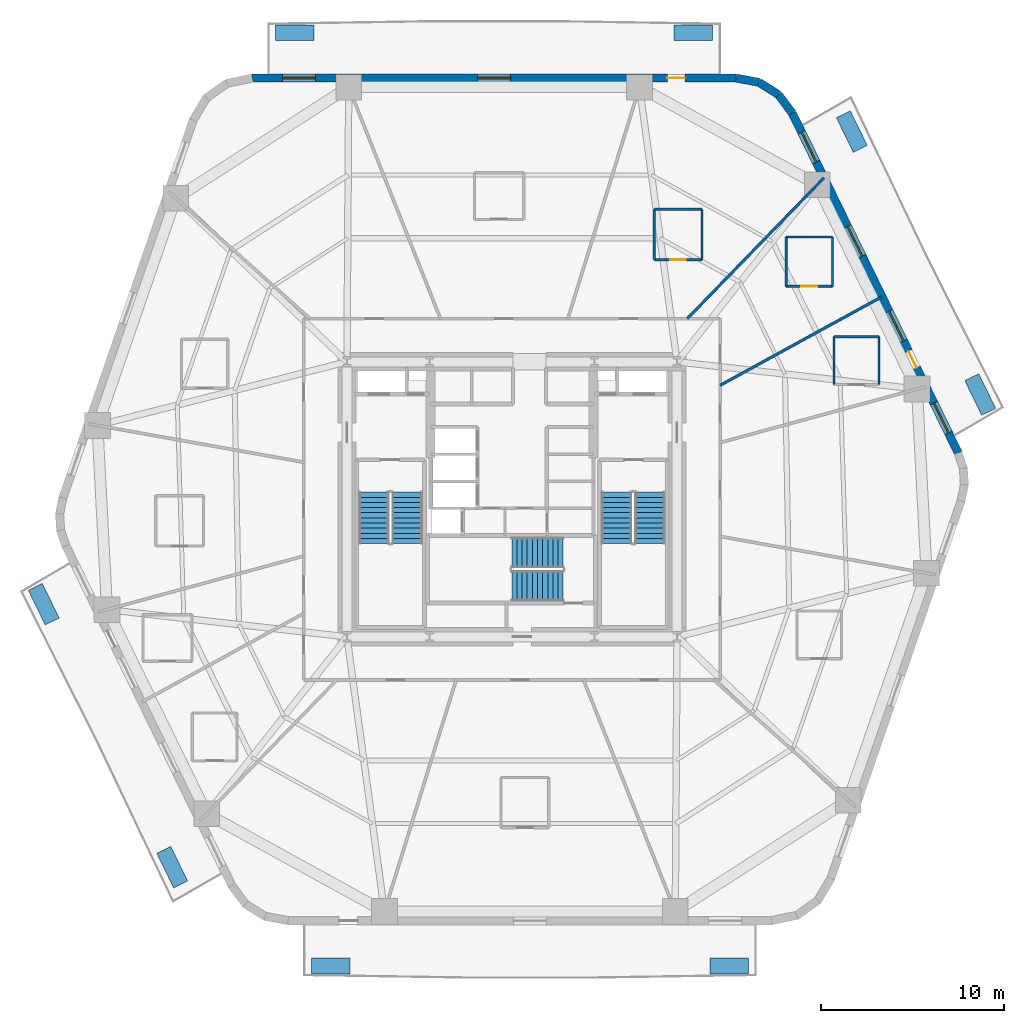
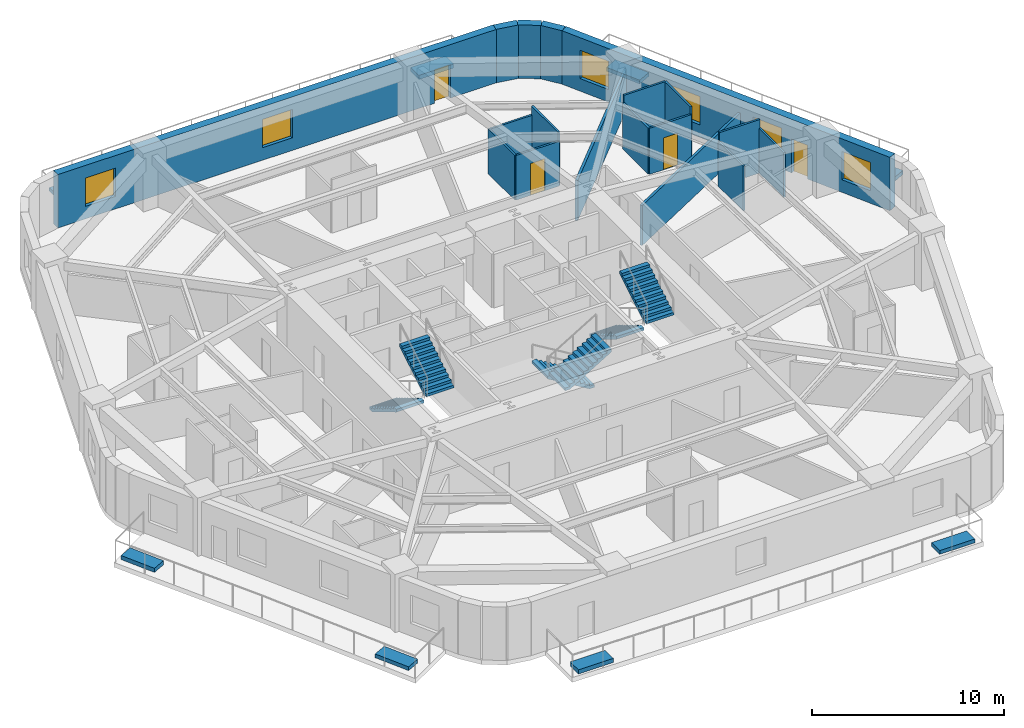
# One storey, part 6 of 9: 18 walls, 8 discrete accessories, 6 stair flights, 6 windows, 4 doors, 10 openings, 3 elements without a shape of their own.
"""IFC4 building model written with IfcOpenShell, lengths in metres."""

from ifc_helpers import new_model, si_unit, direction, frame, frame_2d, origin, origin_2d, place, context, subcontext, project, spatial, polyline, rectangle, outline, extrude, material, layer, layer_set, type_object, element, fill, aggregate, save


model = new_model("IFC4")

# Units and contexts
model_context = context("Model", 3, precision=1e-05, world=origin(), true_north=direction((0.0, 1.0)))
body_context = subcontext(model_context, "Body", "Model", "MODEL_VIEW")
ifc_project = project(units=[si_unit("LENGTHUNIT", "METRE"), si_unit("AREAUNIT", "SQUARE_METRE"), si_unit("VOLUMEUNIT", "CUBIC_METRE"), si_unit("PLANEANGLEUNIT", "RADIAN"), si_unit("MASSUNIT", "GRAM", prefix="KILO")], contexts=[model_context])

# Site, building, storey
site_placement = place(None, origin())
site = spatial("IfcSite", under=ifc_project, at=site_placement, CompositionType="ELEMENT")
building_placement = place(site_placement, origin())
building = spatial("IfcBuilding", under=site, at=building_placement, Name="Kilnhurst Terrace Hotel", CompositionType="ELEMENT")
storey_placement = place(building_placement, frame((0.0, 0.0, 60.10009765625)))
storey = spatial("IfcBuildingStorey", under=building, at=storey_placement, Name="L13", CompositionType="ELEMENT", Elevation=60.10009765625)

# Walls
ifc_material_1 = material(Name="Precast concrete C40/50", Category="concrete")
ifc_layer_1 = layer(ifc_material_1, 0.449951171875, Name="Precast concrete C40/50")
ifc_layer_set_1 = layer_set([ifc_layer_1], Name="Precast concrete C40/50")
wall_type_1 = type_object("IfcWallType", Name="WL-BRK-450", PredefinedType="SOLIDWALL", material=ifc_layer_set_1)
wall_1_placement = place(storey_placement, frame((15.28369140625, 21.0625, 0.0), z_axis=(0.0, 0.0, 1.0), x_axis=(-0.597595366449, 0.801797841104, 0.0)))
element("IfcWall", 1, at=wall_1_placement, inside=storey, type_object=wall_type_1, Name="L13 Rounded Corner Brick Wall C4.1", PredefinedType="SOLIDWALL", context=body_context, shape_type="SweptSolid", body=[
    extrude(rectangle(XDim=1.2685546875, YDim=0.449951171875, at=frame_2d((0.63427734375, 0.0))), origin(), (0.0, 0.0, 1.0), 3.39990234375),
])
wall_2_placement = place(storey_placement, frame((14.525634765625, 22.07958984375, 0.0), z_axis=(0.0, 0.0, 1.0), x_axis=(-0.848185203596, 0.529699783275, 0.0)))
element("IfcWall", 2, at=wall_2_placement, inside=storey, type_object=wall_type_1, Name="L13 Rounded Corner Brick Wall C4.2", PredefinedType="SOLIDWALL", context=body_context, shape_type="SweptSolid", body=[
    extrude(rectangle(XDim=1.247314453125, YDim=0.449951171875, at=frame_2d((0.62353515625, 0.0))), origin(), (0.0, 0.0, 1.0), 3.39990234375),
])
wall_3_placement = place(storey_placement, frame((13.4677734375, 22.740234375, 0.0), z_axis=(0.0, 0.0, 1.0), x_axis=(-0.982717174228, 0.185113358451, 0.0)))
element("IfcWall", 3, at=wall_3_placement, inside=storey, type_object=wall_type_1, Name="L13 Rounded Corner Brick Wall C4.3", PredefinedType="SOLIDWALL", context=body_context, shape_type="SweptSolid", body=[
    extrude(rectangle(XDim=1.268798828125, YDim=0.449951171875, at=frame_2d((0.63427734375, 0.0))), origin(), (0.0, 0.0, 1.0), 3.39990234375),
])

# Wall, openings, door, windows
wall_4_placement = place(storey_placement, frame((24.335693359375, 2.532470703125, 0.0), z_axis=(0.0, 0.0, 1.0), x_axis=(-0.438931326393, 0.898520612291, 0.0)))
wall_4 = element("IfcWall", 4, at=wall_4_placement, inside=storey, type_object=wall_type_1, Name="L13 Exterior Brick Facade Wall F3", PredefinedType="SOLIDWALL", context=body_context, shape_type="SweptSolid", body=[
    extrude(rectangle(XDim=20.622802734375, YDim=0.449951171875, at=frame_2d((10.3115234375, 0.0))), origin(), (0.0, 0.0, 1.0), 3.39990234375),
])
opening_1_placement = place(wall_4_placement, frame((5.1708984375, 0.0, 0.0)))
opening_1 = element("IfcOpeningElement", 5, at=opening_1_placement, cuts=wall_4, Name="Opening BD-1000", PredefinedType="OPENING", context=body_context, shape_type="SweptSolid", body=[
    extrude(rectangle(XDim=1.0, YDim=2.14990234375, at=frame_2d((0.5, 1.074951171875))), frame((0.0, 0.23486328125, 0.0), z_axis=(0.0, -1.0, 0.0), x_axis=(1.0, 0.0, 0.0)), (0.0, 0.0, 1.0), 0.469970703125),
])
opening_2_placement = place(wall_4_placement, frame((6.800048828125, 0.0, 0.800048828125)))
opening_2 = element("IfcOpeningElement", 6, at=opening_2_placement, cuts=wall_4, Name="Opening W-01", PredefinedType="OPENING", context=body_context, shape_type="SweptSolid", body=[
    extrude(rectangle(XDim=1.800048828125, YDim=1.800048828125, at=frame_2d((0.89990234375, 0.89990234375))), frame((0.0, 0.23486328125, 0.0), z_axis=(0.0, -1.0, 0.0), x_axis=(1.0, 0.0, 0.0)), (0.0, 0.0, 1.0), 0.469970703125),
])
opening_3_placement = place(wall_4_placement, frame((11.94189453125, 0.0, 0.800048828125)))
opening_3 = element("IfcOpeningElement", 7, at=opening_3_placement, cuts=wall_4, Name="Opening W-01", PredefinedType="OPENING", context=body_context, shape_type="SweptSolid", body=[
    extrude(rectangle(XDim=1.800048828125, YDim=1.800048828125, at=frame_2d((0.89990234375, 0.89990234375))), frame((0.0, 0.23486328125, 0.0), z_axis=(0.0, -1.0, 0.0), x_axis=(1.0, 0.0, 0.0)), (0.0, 0.0, 1.0), 0.469970703125),
])
opening_4_placement = place(wall_4_placement, frame((17.659912109375, 0.0, 0.800048828125)))
opening_4 = element("IfcOpeningElement", 8, at=opening_4_placement, cuts=wall_4, Name="Opening W-01", PredefinedType="OPENING", context=body_context, shape_type="SweptSolid", body=[
    extrude(rectangle(XDim=1.800048828125, YDim=1.800048828125, at=frame_2d((0.89990234375, 0.89990234375))), frame((0.0, 0.23486328125, 0.0), z_axis=(0.0, -1.0, 0.0), x_axis=(1.0, 0.0, 0.0)), (0.0, 0.0, 1.0), 0.469970703125),
])
opening_5_placement = place(wall_4_placement, frame((1.214111328125, 0.0, 0.800048828125)))
opening_5 = element("IfcOpeningElement", 9, at=opening_5_placement, cuts=wall_4, Name="Opening W-01", PredefinedType="OPENING", context=body_context, shape_type="SweptSolid", body=[
    extrude(rectangle(XDim=1.800048828125, YDim=1.800048828125, at=frame_2d((0.89990234375, 0.89990234375))), frame((0.0, 0.23486328125, 0.0), z_axis=(0.0, -1.0, 0.0), x_axis=(1.0, 0.0, 0.0)), (0.0, 0.0, 1.0), 0.469970703125),
])
ifc_material_2 = material(Name="Thermally Broken Bronze Aluminium Alloy 6063-T6 and Laminated Glass", Category="aluminium")
door_type_1 = type_object("IfcDoorType", Name="DR-EXT-BAL-1000", OperationType="NOTDEFINED", PredefinedType="DOOR", material=ifc_material_2)
door_1_placement = place(opening_1_placement, origin())
door_1 = element("IfcDoor", 10, at=door_1_placement, inside=storey, type_object=door_type_1, Name="L13 Planted Balcony Door BAL-L1A", OperationType="SINGLE_SWING_LEFT", OverallHeight=2.14990234375, OverallWidth=1.0, PredefinedType="DOOR", context=body_context, shape_type="SweptSolid", body=[
    extrude(rectangle(XDim=1.0, YDim=2.14990234375, at=frame_2d((0.5, 1.074951171875))), frame((0.0, 0.02490234375, 0.0), z_axis=(0.0, -1.0, 0.0), x_axis=(1.0, 0.0, 0.0)), (0.0, 0.0, 1.0), 0.050048828125),
])
fill(opening_1, door_1)
ifc_material_3 = material(Name="Thermally Broken Bronze Aluminium Alloy 6063-T6 and Low-E Glass", Category="aluminium")
window_type = type_object("IfcWindowType", Name="WIN-1800X1800", PartitioningType="SINGLE_PANEL", PredefinedType="WINDOW", material=ifc_material_3)
window_1_placement = place(opening_2_placement, origin())
window_1 = element("IfcWindow", 11, at=window_1_placement, inside=storey, type_object=window_type, Name="L13 Deep-Set Masonry Window F3.1", OverallHeight=1.800048828125, OverallWidth=1.800048828125, PartitioningType="SINGLE_PANEL", PredefinedType="WINDOW", context=body_context, shape_type="SweptSolid", body=[
    extrude(rectangle(XDim=1.800048828125, YDim=1.800048828125, at=frame_2d((0.89990234375, 0.89990234375))), frame((0.0, 0.030029296875, 0.0), z_axis=(0.0, -1.0, 0.0), x_axis=(1.0, 0.0, 0.0)), (0.0, 0.0, 1.0), 0.06005859375),
])
fill(opening_2, window_1)
window_2_placement = place(opening_3_placement, origin())
window_2 = element("IfcWindow", 12, at=window_2_placement, inside=storey, type_object=window_type, Name="L13 Deep-Set Masonry Window F3.2", OverallHeight=1.800048828125, OverallWidth=1.800048828125, PartitioningType="SINGLE_PANEL", PredefinedType="WINDOW", context=body_context, shape_type="SweptSolid", body=[
    extrude(rectangle(XDim=1.800048828125, YDim=1.800048828125, at=frame_2d((0.89990234375, 0.89990234375))), frame((0.0, 0.030029296875, 0.0), z_axis=(0.0, -1.0, 0.0), x_axis=(1.0, 0.0, 0.0)), (0.0, 0.0, 1.0), 0.06005859375),
])
fill(opening_3, window_2)
window_3_placement = place(opening_4_placement, origin())
window_3 = element("IfcWindow", 13, at=window_3_placement, inside=storey, type_object=window_type, Name="L13 Deep-Set Masonry Window F3.3", OverallHeight=1.800048828125, OverallWidth=1.800048828125, PartitioningType="SINGLE_PANEL", PredefinedType="WINDOW", context=body_context, shape_type="SweptSolid", body=[
    extrude(rectangle(XDim=1.800048828125, YDim=1.800048828125, at=frame_2d((0.89990234375, 0.89990234375))), frame((0.0, 0.030029296875, 0.0), z_axis=(0.0, -1.0, 0.0), x_axis=(1.0, 0.0, 0.0)), (0.0, 0.0, 1.0), 0.06005859375),
])
fill(opening_4, window_3)
window_4_placement = place(opening_5_placement, origin())
window_4 = element("IfcWindow", 14, at=window_4_placement, inside=storey, type_object=window_type, Name="L13 Deep-Set Masonry Window F3.4", OverallHeight=1.800048828125, OverallWidth=1.800048828125, PartitioningType="SINGLE_PANEL", PredefinedType="WINDOW", context=body_context, shape_type="SweptSolid", body=[
    extrude(rectangle(XDim=1.800048828125, YDim=1.800048828125, at=frame_2d((0.89990234375, 0.89990234375))), frame((0.0, 0.030029296875, 0.0), z_axis=(0.0, -1.0, 0.0), x_axis=(1.0, 0.0, 0.0)), (0.0, 0.0, 1.0), 0.06005859375),
])
fill(opening_5, window_4)

wall_5_placement = place(storey_placement, frame((12.220947265625, 22.97509765625, 0.0), z_axis=(0.0, 0.0, 1.0), x_axis=(-1.0, 0.0, 0.0)))
wall_5 = element("IfcWall", 15, at=wall_5_placement, inside=storey, type_object=wall_type_1, Name="L13 Exterior Brick Facade Wall F4", PredefinedType="SOLIDWALL", context=body_context, shape_type="SweptSolid", body=[
    extrude(rectangle(XDim=26.38916015625, YDim=0.449951171875, at=frame_2d((13.194580078125, 0.0))), origin(), (0.0, 0.0, 1.0), 3.39990234375),
])
opening_6_placement = place(wall_5_placement, frame((2.799072265625, 0.0, 0.0)))
opening_6 = element("IfcOpeningElement", 16, at=opening_6_placement, cuts=wall_5, Name="Opening BD-950", PredefinedType="OPENING", context=body_context, shape_type="SweptSolid", body=[
    extrude(rectangle(XDim=0.949951171875, YDim=2.14990234375, at=frame_2d((0.47509765625, 1.074951171875))), frame((0.0, 0.23486328125, 0.0), z_axis=(0.0, -1.0, 0.0), x_axis=(1.0, 0.0, 0.0)), (0.0, 0.0, 1.0), 0.469970703125),
])
opening_7_placement = place(wall_5_placement, frame((12.2958984375, 0.0, 0.800048828125)))
opening_7 = element("IfcOpeningElement", 17, at=opening_7_placement, cuts=wall_5, Name="Opening W-01", PredefinedType="OPENING", context=body_context, shape_type="SweptSolid", body=[
    extrude(rectangle(XDim=1.800048828125, YDim=1.800048828125, at=frame_2d((0.89990234375, 0.89990234375))), frame((0.0, 0.23486328125, 0.0), z_axis=(0.0, -1.0, 0.0), x_axis=(1.0, 0.0, 0.0)), (0.0, 0.0, 1.0), 0.469970703125),
])
opening_8_placement = place(wall_5_placement, frame((22.93798828125, 0.0, 0.800048828125)))
opening_8 = element("IfcOpeningElement", 18, at=opening_8_placement, cuts=wall_5, Name="Opening W-01", PredefinedType="OPENING", context=body_context, shape_type="SweptSolid", body=[
    extrude(rectangle(XDim=1.800048828125, YDim=1.800048828125, at=frame_2d((0.89990234375, 0.89990234375))), frame((0.0, 0.23486328125, 0.0), z_axis=(0.0, -1.0, 0.0), x_axis=(1.0, 0.0, 0.0)), (0.0, 0.0, 1.0), 0.469970703125),
])
door_type_2 = type_object("IfcDoorType", Name="DR-EXT-BAL-950", OperationType="NOTDEFINED", PredefinedType="DOOR", material=ifc_material_2)
door_2_placement = place(opening_6_placement, origin())
door_2 = element("IfcDoor", 19, at=door_2_placement, inside=storey, type_object=door_type_2, Name="L13 Planted Balcony Door BAL-L1B", OperationType="SINGLE_SWING_RIGHT", OverallHeight=2.14990234375, OverallWidth=0.949951171875, PredefinedType="DOOR", context=body_context, shape_type="SweptSolid", body=[
    extrude(rectangle(XDim=0.949951171875, YDim=2.14990234375, at=frame_2d((0.47509765625, 1.074951171875))), frame((0.0, 0.02490234375, 0.0), z_axis=(0.0, -1.0, 0.0), x_axis=(1.0, 0.0, 0.0)), (0.0, 0.0, 1.0), 0.050048828125),
])
fill(opening_6, door_2)
window_5_placement = place(opening_7_placement, origin())
window_5 = element("IfcWindow", 20, at=window_5_placement, inside=storey, type_object=window_type, Name="L13 Deep-Set Masonry Window F4.1", OverallHeight=1.800048828125, OverallWidth=1.800048828125, PartitioningType="SINGLE_PANEL", PredefinedType="WINDOW", context=body_context, shape_type="SweptSolid", body=[
    extrude(rectangle(XDim=1.800048828125, YDim=1.800048828125, at=frame_2d((0.89990234375, 0.89990234375))), frame((0.0, 0.030029296875, 0.0), z_axis=(0.0, -1.0, 0.0), x_axis=(1.0, 0.0, 0.0)), (0.0, 0.0, 1.0), 0.06005859375),
])
fill(opening_7, window_5)
window_6_placement = place(opening_8_placement, origin())
window_6 = element("IfcWindow", 21, at=window_6_placement, inside=storey, type_object=window_type, Name="L13 Deep-Set Masonry Window F4.2", OverallHeight=1.800048828125, OverallWidth=1.800048828125, PartitioningType="SINGLE_PANEL", PredefinedType="WINDOW", context=body_context, shape_type="SweptSolid", body=[
    extrude(rectangle(XDim=1.800048828125, YDim=1.800048828125, at=frame_2d((0.89990234375, 0.89990234375))), frame((0.0, 0.030029296875, 0.0), z_axis=(0.0, -1.0, 0.0), x_axis=(1.0, 0.0, 0.0)), (0.0, 0.0, 1.0), 0.06005859375),
])
fill(opening_8, window_6)

# Walls
ifc_material_4 = material(Name="STC-58 Acoustic Twin-Frame Guestroom Demising Partition")
ifc_layer_2 = layer(ifc_material_4, 0.14990234375, Name="STC-58 Acoustic Twin-Frame Guestroom Demising Partition")
ifc_layer_set_2 = layer_set([ifc_layer_2], Name="STC-58 Acoustic Twin-Frame Guestroom Demising Partition")
wall_type_2 = type_object("IfcWallType", Name="WL-DEM-150", PredefinedType="PARTITIONING", material=ifc_layer_set_2)
wall_6_placement = place(storey_placement, frame((11.35009765625, 6.216552734375, 0.0), z_axis=(0.0, 0.0, 1.0), x_axis=(0.877047587135, 0.480403507378, 0.0)))
element("IfcWall", 22, at=wall_6_placement, inside=storey, type_object=wall_type_2, Name="L13 Interior Wall WL-L13-DEM-MID01-02-1", PredefinedType="PARTITIONING", context=body_context, shape_type="SweptSolid", body=[
    extrude(rectangle(XDim=10.061767578125, YDim=0.14990234375, at=frame_2d((5.03076171875, 0.0))), origin(), (0.0, 0.0, 1.0), 2.539794921875),
])
wall_7_placement = place(storey_placement, frame((9.5576171875, 9.85009765625, 0.0), z_axis=(0.0, 0.0, 1.0), x_axis=(0.69638346089, 0.717669893056, 0.0)))
element("IfcWall", 23, at=wall_7_placement, inside=storey, type_object=wall_type_2, Name="L13 Interior Wall WL-L13-DEM-COL02-03-1", PredefinedType="PARTITIONING", context=body_context, shape_type="SweptSolid", body=[
    extrude(rectangle(XDim=10.700927734375, YDim=0.14990234375, at=frame_2d((5.3505859375, 0.0))), origin(), (0.0, 0.0, 1.0), 2.539794921875),
])
ifc_material_5 = material(Name="120 mm Moisture-Resistant Tile-Backed Bathroom Partition")
ifc_layer_3 = layer(ifc_material_5, 0.1201171875, Name="120 mm Moisture-Resistant Tile-Backed Bathroom Partition")
ifc_layer_set_3 = layer_set([ifc_layer_3], Name="120 mm Moisture-Resistant Tile-Backed Bathroom Partition")
wall_type_3 = type_object("IfcWallType", Name="WL-PART-120", PredefinedType="PARTITIONING", material=ifc_layer_set_3)
wall_8_placement = place(storey_placement, frame((20.007080078125, 6.258056640625, 0.0), z_axis=(0.0, 0.0, 1.0), x_axis=(0.0, 1.0, 0.0)))
element("IfcWall", 24, at=wall_8_placement, inside=storey, type_object=wall_type_3, Name="L13 Interior Wall WL-L13-BTH-01-2", PredefinedType="PARTITIONING", context=body_context, shape_type="SweptSolid", body=[
    extrude(rectangle(XDim=2.60986328125, YDim=0.1201171875, at=frame_2d((1.304931640625, 0.0))), origin(), (0.0, 0.0, 1.0), 2.83984375),
])
wall_9_placement = place(storey_placement, frame((20.007080078125, 8.867919921875, 0.0), z_axis=(0.0, 0.0, 1.0), x_axis=(-1.0, 0.0, 0.0)))
element("IfcWall", 25, at=wall_9_placement, inside=storey, type_object=wall_type_3, Name="L13 Interior Wall WL-L13-BTH-01-3", PredefinedType="PARTITIONING", context=body_context, shape_type="SweptSolid", body=[
    extrude(rectangle(XDim=2.440185546875, YDim=0.1201171875, at=frame_2d((1.22021484375, 0.0))), origin(), (0.0, 0.0, 1.0), 3.39990234375),
])
wall_10_placement = place(storey_placement, frame((17.56689453125, 8.867919921875, 0.0), z_axis=(0.0, 0.0, 1.0), x_axis=(0.0, -1.0, 0.0)))
element("IfcWall", 26, at=wall_10_placement, inside=storey, type_object=wall_type_3, Name="L13 Interior Wall WL-L13-BTH-01-4", PredefinedType="PARTITIONING", context=body_context, shape_type="SweptSolid", body=[
    extrude(rectangle(XDim=2.60986328125, YDim=0.1201171875, at=frame_2d((1.304931640625, 0.0))), origin(), (0.0, 0.0, 1.0), 2.83984375),
])

# Wall, opening, door
wall_11_placement = place(storey_placement, frame((14.951904296875, 11.617919921875, 0.0), z_axis=(0.0, 0.0, 1.0), x_axis=(1.0, 0.0, 0.0)))
wall_11 = element("IfcWall", 27, at=wall_11_placement, inside=storey, type_object=wall_type_3, Name="L13 Interior Wall WL-L13-BTH-02-1", PredefinedType="PARTITIONING", context=body_context, shape_type="SweptSolid", body=[
    extrude(rectangle(XDim=2.52001953125, YDim=0.1201171875, at=frame_2d((1.260009765625, 0.0))), origin(), (0.0, 0.0, 1.0), 2.926513671875),
])
opening_9_placement = place(wall_11_placement, frame((0.8349609375, 0.0, 0.0)))
opening_9 = element("IfcOpeningElement", 28, at=opening_9_placement, cuts=wall_11, Name="Opening D-08A", PredefinedType="OPENING", context=body_context, shape_type="SweptSolid", body=[
    extrude(rectangle(XDim=0.85009765625, YDim=2.030029296875, at=frame_2d((0.425048828125, 1.01513671875))), frame((0.0, 0.070068359375, 0.0), z_axis=(0.0, -1.0, 0.0), x_axis=(1.0, 0.0, 0.0)), (0.0, 0.0, 1.0), 0.14013671875),
])
ifc_material_6 = material(Name="Moisture-Resistant Lacquered En-suite Bathroom Door")
door_type_3 = type_object("IfcDoorType", Name="DR-INT-850", OperationType="NOTDEFINED", PredefinedType="DOOR", material=ifc_material_6)
door_3_placement = place(opening_9_placement, origin())
door_3 = element("IfcDoor", 29, at=door_3_placement, inside=storey, type_object=door_type_3, Name="L13 En-suite Bathroom Door 2", OperationType="SINGLE_SWING_LEFT", OverallHeight=2.030029296875, OverallWidth=0.85009765625, PredefinedType="DOOR", context=body_context, shape_type="SweptSolid", body=[
    extrude(rectangle(XDim=0.85009765625, YDim=2.030029296875, at=frame_2d((0.425048828125, 1.01513671875))), frame((0.0, 0.02490234375, 0.0), z_axis=(0.0, -1.0, 0.0), x_axis=(1.0, 0.0, 0.0)), (0.0, 0.0, 1.0), 0.050048828125),
])
fill(opening_9, door_3)

# Walls
wall_12_placement = place(storey_placement, frame((17.471923828125, 11.617919921875, 0.0), z_axis=(0.0, 0.0, 1.0), x_axis=(0.0, 1.0, 0.0)))
element("IfcWall", 30, at=wall_12_placement, inside=storey, type_object=wall_type_3, Name="L13 Interior Wall WL-L13-BTH-02-2", PredefinedType="PARTITIONING", context=body_context, shape_type="SweptSolid", body=[
    extrude(rectangle(XDim=2.68017578125, YDim=0.1201171875, at=frame_2d((1.340087890625, 0.0))), origin(), (0.0, 0.0, 1.0), 3.39990234375),
])
wall_13_placement = place(storey_placement, frame((17.471923828125, 14.298095703125, 0.0), z_axis=(0.0, 0.0, 1.0), x_axis=(-1.0, 0.0, 0.0)))
element("IfcWall", 31, at=wall_13_placement, inside=storey, type_object=wall_type_3, Name="L13 Interior Wall WL-L13-BTH-02-3", PredefinedType="PARTITIONING", context=body_context, shape_type="SweptSolid", body=[
    extrude(rectangle(XDim=2.52001953125, YDim=0.1201171875, at=frame_2d((1.260009765625, 0.0))), origin(), (0.0, 0.0, 1.0), 3.39990234375),
])
wall_14_placement = place(storey_placement, frame((14.951904296875, 14.298095703125, 0.0), z_axis=(0.0, 0.0, 1.0), x_axis=(0.0, -1.0, 0.0)))
element("IfcWall", 32, at=wall_14_placement, inside=storey, type_object=wall_type_3, Name="L13 Interior Wall WL-L13-BTH-02-4", PredefinedType="PARTITIONING", context=body_context, shape_type="SweptSolid", body=[
    extrude(rectangle(XDim=2.68017578125, YDim=0.1201171875, at=frame_2d((1.340087890625, 0.0))), origin(), (0.0, 0.0, 1.0), 2.926513671875),
])

# Wall, opening, door
wall_15_placement = place(storey_placement, frame((7.758056640625, 13.06591796875, 0.0), z_axis=(0.0, 0.0, 1.0), x_axis=(1.0, 0.0, 0.0)))
wall_15 = element("IfcWall", 33, at=wall_15_placement, inside=storey, type_object=wall_type_3, Name="L13 Interior Wall WL-L13-BTH-03-1", PredefinedType="PARTITIONING", context=body_context, shape_type="SweptSolid", body=[
    extrude(rectangle(XDim=2.599853515625, YDim=0.1201171875, at=frame_2d((1.2998046875, 0.0))), origin(), (0.0, 0.0, 1.0), 2.83984375),
])
opening_10_placement = place(wall_15_placement, frame((0.875, 0.0, 0.0)))
opening_10 = element("IfcOpeningElement", 34, at=opening_10_placement, cuts=wall_15, Name="Opening D-08A", PredefinedType="OPENING", context=body_context, shape_type="SweptSolid", body=[
    extrude(rectangle(XDim=0.85009765625, YDim=2.030029296875, at=frame_2d((0.425048828125, 1.01513671875))), frame((0.0, 0.070068359375, 0.0), z_axis=(0.0, -1.0, 0.0), x_axis=(1.0, 0.0, 0.0)), (0.0, 0.0, 1.0), 0.14013671875),
])
door_4_placement = place(opening_10_placement, origin())
door_4 = element("IfcDoor", 35, at=door_4_placement, inside=storey, type_object=door_type_3, Name="L13 En-suite Bathroom Door 3", OperationType="SINGLE_SWING_RIGHT", OverallHeight=2.030029296875, OverallWidth=0.85009765625, PredefinedType="DOOR", context=body_context, shape_type="SweptSolid", body=[
    extrude(rectangle(XDim=0.85009765625, YDim=2.030029296875, at=frame_2d((0.425048828125, 1.01513671875))), frame((0.0, 0.02490234375, 0.0), z_axis=(0.0, -1.0, 0.0), x_axis=(1.0, 0.0, 0.0)), (0.0, 0.0, 1.0), 0.050048828125),
])
fill(opening_10, door_4)

# Walls
wall_16_placement = place(storey_placement, frame((10.35791015625, 13.06591796875, 0.0), z_axis=(0.0, 0.0, 1.0), x_axis=(0.0, 1.0, 0.0)))
element("IfcWall", 36, at=wall_16_placement, inside=storey, type_object=wall_type_3, Name="L13 Interior Wall WL-L13-BTH-03-2", PredefinedType="PARTITIONING", context=body_context, shape_type="SweptSolid", body=[
    extrude(rectangle(XDim=2.75, YDim=0.1201171875, at=frame_2d((1.375, 0.0))), origin(), (0.0, 0.0, 1.0), 3.39990234375),
])
wall_17_placement = place(storey_placement, frame((10.35791015625, 15.81591796875, 0.0), z_axis=(0.0, 0.0, 1.0), x_axis=(-1.0, 0.0, 0.0)))
element("IfcWall", 37, at=wall_17_placement, inside=storey, type_object=wall_type_3, Name="L13 Interior Wall WL-L13-BTH-03-3", PredefinedType="PARTITIONING", context=body_context, shape_type="SweptSolid", body=[
    extrude(rectangle(XDim=2.599853515625, YDim=0.1201171875, at=frame_2d((1.2998046875, 0.0))), origin(), (0.0, 0.0, 1.0), 2.83984375),
])
wall_18_placement = place(storey_placement, frame((7.758056640625, 15.81591796875, 0.0), z_axis=(0.0, 0.0, 1.0), x_axis=(0.0, -1.0, 0.0)))
element("IfcWall", 38, at=wall_18_placement, inside=storey, type_object=wall_type_3, Name="L13 Interior Wall WL-L13-BTH-03-4", PredefinedType="PARTITIONING", context=body_context, shape_type="SweptSolid", body=[
    extrude(rectangle(XDim=2.75, YDim=0.1201171875, at=frame_2d((1.375, 0.0))), origin(), (0.0, 0.0, 1.0), 2.83984375),
])

# Stair, stair flights
ifc_material_7 = material(Name="Concrete C50/60", Category="concrete")
stair_type = type_object("IfcStairType", Name="STR-CORE-1660", PredefinedType="HALF_TURN_STAIR", material=ifc_material_7)
stair_1_placement = place(storey_placement, origin())
stair_1 = element("IfcStair", 39, at=stair_1_placement, inside=storey, type_object=stair_type, Name="L13 ST-1", PredefinedType="HALF_TURN_STAIR")
stair_flight_type = type_object("IfcStairFlightType", Name="FLT-RC-1660", PredefinedType="STRAIGHT", material=ifc_material_7)
stair_flight_1_placement = place(storey_placement, frame((-7.52001953125, 0.389892578125, 0.0), z_axis=(0.0, 0.0, 1.0), x_axis=(0.0, -1.0, 0.0)))
stair_flight_1 = element("IfcStairFlight", 40, at=stair_flight_1_placement, type_object=stair_flight_type, Name="ST-1 flight 1", NumberOfRisers=11, NumberOfTreads=10, PredefinedType="STRAIGHT", RiserHeight=0.168181818, TreadLength=0.28, context=body_context, shape_type="SweptSolid", body=[
    extrude(outline(polyline([(0.0, 0.0), (0.0, 0.168212890625), (0.280029296875, 0.168212890625), (0.280029296875, 0.33642578125), (0.56005859375, 0.33642578125), (0.56005859375, 0.504638671875), (0.840087890625, 0.504638671875), (0.840087890625, 0.672607421875), (1.1201171875, 0.672607421875), (1.1201171875, 0.8408203125), (1.39990234375, 0.8408203125), (1.39990234375, 1.009033203125), (1.679931640625, 1.009033203125), (1.679931640625, 1.17724609375), (1.9599609375, 1.17724609375), (1.9599609375, 1.345458984375), (2.239990234375, 1.345458984375), (2.239990234375, 1.513671875), (2.52001953125, 1.513671875), (2.52001953125, 1.681884765625), (2.800048828125, 1.681884765625), (2.800048828125, 1.85009765625), (2.800048828125, 1.5068359375), (0.291015625, 0.0), (0.0, 0.0)])), frame((0.0, 0.830078125, 0.0), z_axis=(0.0, -1.0, 0.0), x_axis=(1.0, 0.0, 0.0)), (0.0, 0.0, 1.0), 1.659912109375),
])
stair_flight_2_placement = place(storey_placement, frame((-5.7099609375, -2.409912109375, 1.849853515625), z_axis=(0.0, 0.0, 1.0), x_axis=(0.0, 1.0, 0.0)))
stair_flight_2 = element("IfcStairFlight", 41, at=stair_flight_2_placement, type_object=stair_flight_type, Name="ST-1 flight 2", NumberOfRisers=11, NumberOfTreads=10, PredefinedType="STRAIGHT", RiserHeight=0.168181818, TreadLength=0.28, context=body_context, shape_type="SweptSolid", body=[
    extrude(outline(polyline([(0.0, 0.0), (0.0, 0.168212890625), (0.280029296875, 0.168212890625), (0.280029296875, 0.33642578125), (0.56005859375, 0.33642578125), (0.56005859375, 0.504638671875), (0.840087890625, 0.504638671875), (0.840087890625, 0.672607421875), (1.1201171875, 0.672607421875), (1.1201171875, 0.8408203125), (1.39990234375, 0.8408203125), (1.39990234375, 1.009033203125), (1.679931640625, 1.009033203125), (1.679931640625, 1.17724609375), (1.9599609375, 1.17724609375), (1.9599609375, 1.345458984375), (2.239990234375, 1.345458984375), (2.239990234375, 1.513671875), (2.52001953125, 1.513671875), (2.52001953125, 1.681884765625), (2.800048828125, 1.681884765625), (2.800048828125, 1.85009765625), (2.800048828125, 1.5068359375), (0.291015625, 0.0), (0.0, 0.0)])), frame((0.0, 0.830078125, 0.0), z_axis=(0.0, -1.0, 0.0), x_axis=(1.0, 0.0, 0.0)), (0.0, 0.0, 1.0), 1.659912109375),
])
aggregate(stair_1, [stair_flight_1, stair_flight_2])

stair_2_placement = place(storey_placement, origin())
stair_2 = element("IfcStair", 42, at=stair_2_placement, inside=storey, type_object=stair_type, Name="L13 ST-2", PredefinedType="HALF_TURN_STAIR")
stair_flight_3_placement = place(storey_placement, frame((5.7099609375, 0.389892578125, 0.0), z_axis=(0.0, 0.0, 1.0), x_axis=(0.0, -1.0, 0.0)))
stair_flight_3 = element("IfcStairFlight", 43, at=stair_flight_3_placement, type_object=stair_flight_type, Name="ST-2 flight 1", NumberOfRisers=11, NumberOfTreads=10, PredefinedType="STRAIGHT", RiserHeight=0.168181818, TreadLength=0.28, context=body_context, shape_type="SweptSolid", body=[
    extrude(outline(polyline([(0.0, 0.0), (0.0, 0.168212890625), (0.280029296875, 0.168212890625), (0.280029296875, 0.33642578125), (0.56005859375, 0.33642578125), (0.56005859375, 0.504638671875), (0.840087890625, 0.504638671875), (0.840087890625, 0.672607421875), (1.1201171875, 0.672607421875), (1.1201171875, 0.8408203125), (1.39990234375, 0.8408203125), (1.39990234375, 1.009033203125), (1.679931640625, 1.009033203125), (1.679931640625, 1.17724609375), (1.9599609375, 1.17724609375), (1.9599609375, 1.345458984375), (2.239990234375, 1.345458984375), (2.239990234375, 1.513671875), (2.52001953125, 1.513671875), (2.52001953125, 1.681884765625), (2.800048828125, 1.681884765625), (2.800048828125, 1.85009765625), (2.800048828125, 1.5068359375), (0.291015625, 0.0), (0.0, 0.0)])), frame((0.0, 0.830078125, 0.0), z_axis=(0.0, -1.0, 0.0), x_axis=(1.0, 0.0, 0.0)), (0.0, 0.0, 1.0), 1.659912109375),
])
stair_flight_4_placement = place(storey_placement, frame((7.52001953125, -2.409912109375, 1.849853515625), z_axis=(0.0, 0.0, 1.0), x_axis=(0.0, 1.0, 0.0)))
stair_flight_4 = element("IfcStairFlight", 44, at=stair_flight_4_placement, type_object=stair_flight_type, Name="ST-2 flight 2", NumberOfRisers=11, NumberOfTreads=10, PredefinedType="STRAIGHT", RiserHeight=0.168181818, TreadLength=0.28, context=body_context, shape_type="SweptSolid", body=[
    extrude(outline(polyline([(0.0, 0.0), (0.0, 0.168212890625), (0.280029296875, 0.168212890625), (0.280029296875, 0.33642578125), (0.56005859375, 0.33642578125), (0.56005859375, 0.504638671875), (0.840087890625, 0.504638671875), (0.840087890625, 0.672607421875), (1.1201171875, 0.672607421875), (1.1201171875, 0.8408203125), (1.39990234375, 0.8408203125), (1.39990234375, 1.009033203125), (1.679931640625, 1.009033203125), (1.679931640625, 1.17724609375), (1.9599609375, 1.17724609375), (1.9599609375, 1.345458984375), (2.239990234375, 1.345458984375), (2.239990234375, 1.513671875), (2.52001953125, 1.513671875), (2.52001953125, 1.681884765625), (2.800048828125, 1.681884765625), (2.800048828125, 1.85009765625), (2.800048828125, 1.5068359375), (0.291015625, 0.0), (0.0, 0.0)])), frame((0.0, 0.830078125, 0.0), z_axis=(0.0, -1.0, 0.0), x_axis=(1.0, 0.0, 0.0)), (0.0, 0.0, 1.0), 1.659912109375),
])
aggregate(stair_2, [stair_flight_3, stair_flight_4])

stair_3_placement = place(storey_placement, origin())
stair_3 = element("IfcStair", 45, at=stair_3_placement, inside=storey, type_object=stair_type, Name="L13 ST-3", PredefinedType="HALF_TURN_STAIR")
stair_flight_5_placement = place(storey_placement, frame((2.7900390625, -2.909912109375, 0.0), z_axis=(0.0, 0.0, 1.0), x_axis=(-1.0, 0.0, 0.0)))
stair_flight_5 = element("IfcStairFlight", 46, at=stair_flight_5_placement, type_object=stair_flight_type, Name="ST-3 flight 1", NumberOfRisers=11, NumberOfTreads=10, PredefinedType="STRAIGHT", RiserHeight=0.168181818, TreadLength=0.28, context=body_context, shape_type="SweptSolid", body=[
    extrude(outline(polyline([(0.0, 0.0), (0.0, 0.168212890625), (0.280029296875, 0.168212890625), (0.280029296875, 0.33642578125), (0.56005859375, 0.33642578125), (0.56005859375, 0.504638671875), (0.840087890625, 0.504638671875), (0.840087890625, 0.672607421875), (1.1201171875, 0.672607421875), (1.1201171875, 0.8408203125), (1.39990234375, 0.8408203125), (1.39990234375, 1.009033203125), (1.679931640625, 1.009033203125), (1.679931640625, 1.17724609375), (1.9599609375, 1.17724609375), (1.9599609375, 1.345458984375), (2.239990234375, 1.345458984375), (2.239990234375, 1.513671875), (2.52001953125, 1.513671875), (2.52001953125, 1.681884765625), (2.800048828125, 1.681884765625), (2.800048828125, 1.85009765625), (2.800048828125, 1.5068359375), (0.291015625, 0.0), (0.0, 0.0)])), frame((0.0, 0.830078125, 0.0), z_axis=(0.0, -1.0, 0.0), x_axis=(1.0, 0.0, 0.0)), (0.0, 0.0, 1.0), 1.659912109375),
])
stair_flight_6_placement = place(storey_placement, frame((-0.010009765625, -4.719970703125, 1.849853515625), z_axis=(0.0, 0.0, 1.0), x_axis=(1.0, 0.0, 0.0)))
stair_flight_6 = element("IfcStairFlight", 47, at=stair_flight_6_placement, type_object=stair_flight_type, Name="ST-3 flight 2", NumberOfRisers=11, NumberOfTreads=10, PredefinedType="STRAIGHT", RiserHeight=0.168181818, TreadLength=0.28, context=body_context, shape_type="SweptSolid", body=[
    extrude(outline(polyline([(0.0, 0.0), (0.0, 0.168212890625), (0.280029296875, 0.168212890625), (0.280029296875, 0.33642578125), (0.56005859375, 0.33642578125), (0.56005859375, 0.504638671875), (0.840087890625, 0.504638671875), (0.840087890625, 0.672607421875), (1.1201171875, 0.672607421875), (1.1201171875, 0.8408203125), (1.39990234375, 0.8408203125), (1.39990234375, 1.009033203125), (1.679931640625, 1.009033203125), (1.679931640625, 1.17724609375), (1.9599609375, 1.17724609375), (1.9599609375, 1.345458984375), (2.239990234375, 1.345458984375), (2.239990234375, 1.513671875), (2.52001953125, 1.513671875), (2.52001953125, 1.681884765625), (2.800048828125, 1.681884765625), (2.800048828125, 1.85009765625), (2.800048828125, 1.5068359375), (0.291015625, 0.0), (0.0, 0.0)])), frame((0.0, 0.830078125, 0.0), z_axis=(0.0, -1.0, 0.0), x_axis=(1.0, 0.0, 0.0)), (0.0, 0.0, 1.0), 1.659912109375),
])
aggregate(stair_3, [stair_flight_5, stair_flight_6])

# Discrete accessories
ifc_material_8 = material(Name="Precast Concrete C40/50 Shrub Planter", Category="concrete")
discrete_accessory_type_1 = type_object("IfcDiscreteAccessoryType", Name="PLN-SHRUB-240", PredefinedType="USERDEFINED", material=ifc_material_8)
for number, where, z_axis, x_axis, name in (
    (48, (18.52978515625, 20.05615234375, 0.0), (0.0, 0.0, 1.0), (-0.438935789176, 0.898518432188, 0.0), "L13 Structural Tree Planter Box PLANTER BAL-L1A.2"),
    (49, (-11.841552734375, 25.449951171875, 0.0), (0.0, 0.0, 1.0), (-1.0, 0.0, 0.0), "L13 Structural Tree Planter Box PLANTER BAL-L1B.2"),
    (50, (-18.52978515625, -20.05615234375, 0.0), (0.0, 0.0, 1.0), (0.438935789176, -0.898518432188, 0.0), "L13 Structural Tree Planter Box PLANTER BAL-L2A.2"),
    (51, (11.841552734375, -25.449951171875, 0.0), (0.0, 0.0, 1.0), (1.0, 0.0, 0.0), "L13 Structural Tree Planter Box PLANTER BAL-L2B.2"),
):
    element("IfcDiscreteAccessory", number, at=place(storey_placement, frame(where, z_axis=z_axis, x_axis=x_axis)), inside=storey, type_object=discrete_accessory_type_1, Name=name, ObjectType="PLANTER", PredefinedType="USERDEFINED", context=body_context, shape_type="SweptSolid", body=[
        extrude(rectangle(XDim=2.10009765625, YDim=0.85009765625, at=origin_2d()), origin(), (0.0, 0.0, 1.0), 0.239990234375),
    ])
ifc_material_9 = material(Name="Precast Concrete C40/50 Tree Planter", Category="concrete")
discrete_accessory_type_2 = type_object("IfcDiscreteAccessoryType", Name="PLN-TREE-260", PredefinedType="USERDEFINED", material=ifc_material_9)
for number, where, z_axis, x_axis, name in (
    (52, (25.534423828125, 5.717041015625, 0.0), (0.0, 0.0, 1.0), (-0.438935789176, 0.898518432188, 0.0), "L13 Structural Tree Planter Box PLANTER BAL-L1A.1"),
    (53, (9.89208984375, 25.449951171875, 0.0), (0.0, 0.0, 1.0), (-1.0, 0.0, 0.0), "L13 Structural Tree Planter Box PLANTER BAL-L1B.1"),
    (54, (-25.534423828125, -5.717041015625, 0.0), (0.0, 0.0, 1.0), (0.438935789176, -0.898518432188, 0.0), "L13 Structural Tree Planter Box PLANTER BAL-L2A.1"),
    (55, (-9.89208984375, -25.449951171875, 0.0), (0.0, 0.0, 1.0), (1.0, 0.0, 0.0), "L13 Structural Tree Planter Box PLANTER BAL-L2B.1"),
):
    element("IfcDiscreteAccessory", number, at=place(storey_placement, frame(where, z_axis=z_axis, x_axis=x_axis)), inside=storey, type_object=discrete_accessory_type_2, Name=name, ObjectType="PLANTER", PredefinedType="USERDEFINED", context=body_context, shape_type="SweptSolid", body=[
        extrude(rectangle(XDim=2.10009765625, YDim=0.85009765625, at=origin_2d()), origin(), (0.0, 0.0, 1.0), 0.260009765625),
    ])

save(model, "model.ifc")
